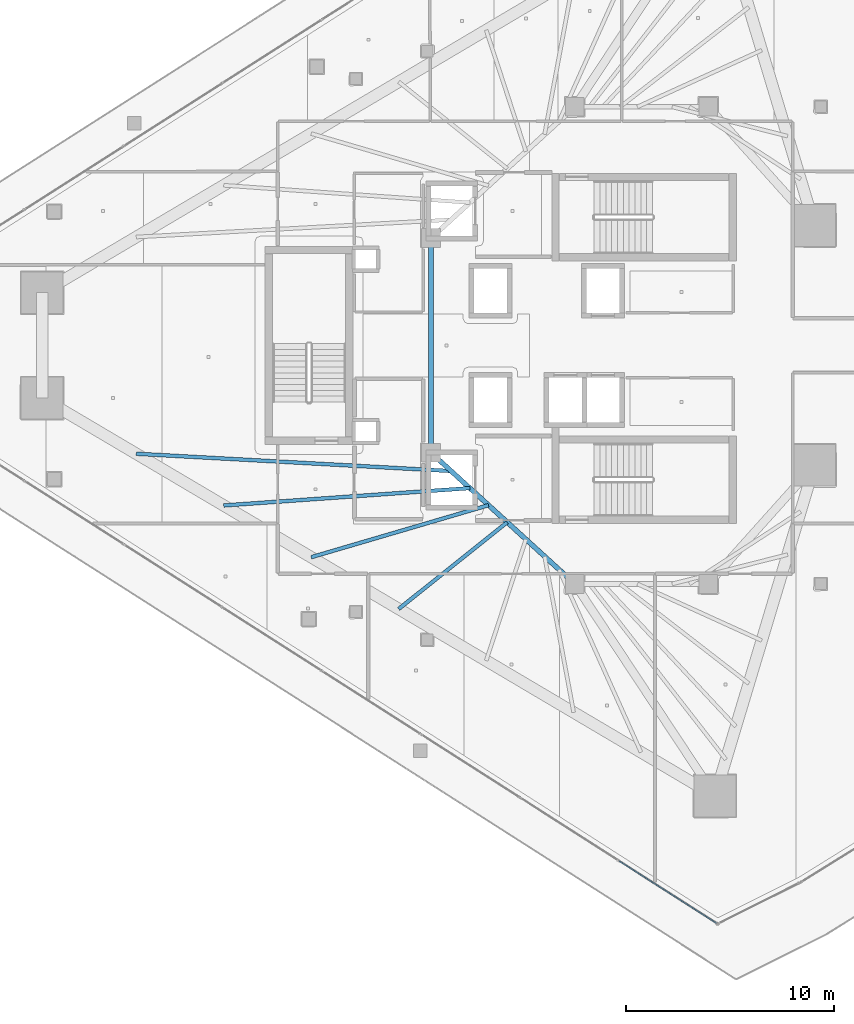
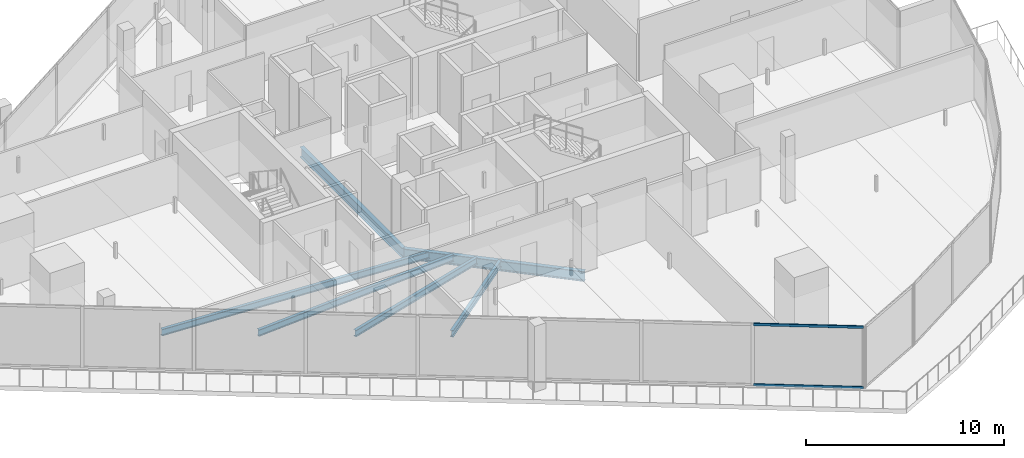
# One storey, part 8 of 36: 6 beams, 2 members, 1 element without a shape of its own.
"""IFC4 building model written with IfcOpenShell, lengths in metres."""

from ifc_helpers import new_model, si_unit, direction, frame, origin, origin_2d, place, context, subcontext, project, spatial, hollow_rectangle, i_section, extrude, material, layer, layer_set, material_profile, profile_set, type_object, element, aggregate, save


model = new_model("IFC4")

# Units and contexts
model_context = context("Model", 3, precision=1e-05, world=origin(), true_north=direction((0.0, 1.0)))
body_context = subcontext(model_context, "Body", "Model", "MODEL_VIEW")
ifc_project = project(units=[si_unit("LENGTHUNIT", "METRE"), si_unit("AREAUNIT", "SQUARE_METRE"), si_unit("VOLUMEUNIT", "CUBIC_METRE"), si_unit("PLANEANGLEUNIT", "RADIAN"), si_unit("MASSUNIT", "GRAM", prefix="KILO")], contexts=[model_context])

# Site, building, storey
site_placement = place(None, origin())
site = spatial("IfcSite", under=ifc_project, at=site_placement, CompositionType="ELEMENT")
building_placement = place(site_placement, origin())
building = spatial("IfcBuilding", under=site, at=building_placement, Name="Qorvath Tower", CompositionType="ELEMENT")
storey_placement = place(building_placement, frame((0.0, 0.0, 205.050048828125)))
storey = spatial("IfcBuildingStorey", under=building, at=storey_placement, Name="L47", CompositionType="ELEMENT", Elevation=205.050048828125)

# Beams
ifc_material_1 = material(Name="Steel ASTM A992 Grade 50", Category="steel")
ifc_material_profile_1 = material_profile(ifc_material_1, i_section(OverallWidth=0.22998046875, OverallDepth=0.616943359375, WebThickness=0.01318359375, FlangeThickness=0.022216796875, FilletRadius=0.014892578125, at=origin_2d()), Name="W24x94")
ifc_profile_set_1 = profile_set([ifc_material_profile_1], Name="Steel ASTM A992 Grade 50")
beam_type_1 = type_object("IfcBeamType", Name="BM-FG6", PredefinedType="BEAM", material=ifc_profile_set_1)
beam_1_placement = place(storey_placement, frame((-23.60009765625, -11.449951171875, -0.57861328125), z_axis=(-0.73847813985, 0.6742774184, 0.0), x_axis=(-0.6742774184, -0.73847813985, 0.0)))
element("IfcBeam", 1, at=beam_1_placement, inside=storey, type_object=beam_type_1, Name="Core Ring Girder CC4-CC6 L47", PredefinedType="BEAM", context=body_context, shape_type="SweptSolid", body=[
    extrude(i_section(OverallWidth=0.22998046875, OverallDepth=0.616943359375, WebThickness=0.01318359375, FlangeThickness=0.022216796875, FilletRadius=0.014892578125, at=origin_2d()), origin(), (0.0, 0.0, 1.0), 9.343505859375),
])
beam_2_placement = place(storey_placement, frame((-30.5, -5.14990234375, -0.57861328125), z_axis=(0.0, 1.0, 0.0), x_axis=(-1.0, 0.0, 0.0)))
element("IfcBeam", 2, at=beam_2_placement, inside=storey, type_object=beam_type_1, Name="Core Ring Girder CC6-CC5 L47", PredefinedType="BEAM", context=body_context, shape_type="SweptSolid", body=[
    extrude(i_section(OverallWidth=0.22998046875, OverallDepth=0.616943359375, WebThickness=0.01318359375, FlangeThickness=0.022216796875, FilletRadius=0.014892578125, at=origin_2d()), origin(), (0.0, 0.0, 1.0), 10.2998046875),
])
ifc_material_2 = material(Name="Steel ASTM A992 Grade 50", Category="steel")
ifc_material_profile_2 = material_profile(ifc_material_2, i_section(OverallWidth=0.177978515625, OverallDepth=0.406005859375, WebThickness=0.0078125, FlangeThickness=0.0126953125, FilletRadius=0.010986328125, at=origin_2d()), Name="W16x40")
ifc_profile_set_2 = profile_set([ifc_material_profile_2], Name="Steel ASTM A992 Grade 50")
beam_type_2 = type_object("IfcBeamType", Name="BM-FJ3", PredefinedType="JOIST", material=ifc_profile_set_2)
beam_3_placement = place(storey_placement, frame((-29.533935546875, -6.031982421875, -0.47314453125), z_axis=(-0.998494745044, 0.054847462293, 0.0), x_axis=(-0.054847462293, -0.998494745044, 0.0)))
element("IfcBeam", 3, at=beam_3_placement, inside=storey, type_object=beam_type_2, Name="Composite Floor Joist SW1 L47", PredefinedType="JOIST", context=body_context, shape_type="SweptSolid", body=[
    extrude(i_section(OverallWidth=0.177978515625, OverallDepth=0.406005859375, WebThickness=0.0078125, FlangeThickness=0.0126953125, FilletRadius=0.010986328125, at=origin_2d()), origin(), (0.0, 0.0, 1.0), 15.138671875),
])
beam_4_placement = place(storey_placement, frame((-28.636962890625, -6.85107421875, -0.47314453125), z_axis=(-0.997520476731, -0.070376832146, 0.0), x_axis=(0.070376832146, -0.997520476731, 0.0)))
element("IfcBeam", 4, at=beam_4_placement, inside=storey, type_object=beam_type_2, Name="Composite Floor Joist SW2 L47", PredefinedType="JOIST", context=body_context, shape_type="SweptSolid", body=[
    extrude(i_section(OverallWidth=0.177978515625, OverallDepth=0.406005859375, WebThickness=0.0078125, FlangeThickness=0.0126953125, FilletRadius=0.010986328125, at=origin_2d()), origin(), (0.0, 0.0, 1.0), 11.84326171875),
])
beam_5_placement = place(storey_placement, frame((-27.739990234375, -7.669921875, -0.47314453125), z_axis=(-0.959544992264, -0.281555337049, 0.0), x_axis=(0.281555337049, -0.959544992264, 0.0)))
element("IfcBeam", 5, at=beam_5_placement, inside=storey, type_object=beam_type_2, Name="Composite Floor Joist SW3 L47", PredefinedType="JOIST", context=body_context, shape_type="SweptSolid", body=[
    extrude(i_section(OverallWidth=0.177978515625, OverallDepth=0.406005859375, WebThickness=0.0078125, FlangeThickness=0.0126953125, FilletRadius=0.010986328125, at=origin_2d()), origin(), (0.0, 0.0, 1.0), 8.87060546875),
])
beam_6_placement = place(storey_placement, frame((-26.843017578125, -8.489013671875, -0.47314453125), z_axis=(-0.781336553339, -0.624109918537, 0.0), x_axis=(0.624109918537, -0.781336553339, 0.0)))
element("IfcBeam", 6, at=beam_6_placement, inside=storey, type_object=beam_type_2, Name="Composite Floor Joist SW4 L47", PredefinedType="JOIST", context=body_context, shape_type="SweptSolid", body=[
    extrude(i_section(OverallWidth=0.177978515625, OverallDepth=0.406005859375, WebThickness=0.0078125, FlangeThickness=0.0126953125, FilletRadius=0.010986328125, at=origin_2d()), origin(), (0.0, 0.0, 1.0), 6.667724609375),
])

# Curtain wall, members
ifc_material_3 = material(Name="Anodised aluminium and triple low-E glass", Category="aluminium")
ifc_layer = layer(ifc_material_3, 0.179931640625)
ifc_layer_set = layer_set([ifc_layer], Name="CW-SYS-3")
curtain_wall_type = type_object("IfcCurtainWallType", Name="CW-SYS-3", PredefinedType="NOTDEFINED", material=ifc_layer_set)
curtain_wall_placement = place(storey_placement, origin())
curtain_wall = element("IfcCurtainWall", 7, at=curtain_wall_placement, inside=storey, type_object=curtain_wall_type, Name="Curtain Wall CW-3 CW-T-L47-2.1", PredefinedType="NOTDEFINED")
ifc_material_4 = material(Name="Anodised aluminium 6063-T6", Category="aluminium")
ifc_material_profile_3 = material_profile(ifc_material_4, hollow_rectangle(XDim=0.06494140625, YDim=0.159912109375, WallThickness=0.00341796875, InnerFilletRadius=0.00341796875, OuterFilletRadius=0.007080078125, at=origin_2d()), Name="CWT 160x65")
ifc_profile_set_3 = profile_set([ifc_material_profile_3], Name="Anodised aluminium 6063-T6")
member_type = type_object("IfcMemberType", Name="CWT-160", PredefinedType="USERDEFINED", material=ifc_profile_set_3)
member_1_placement = place(storey_placement, frame((-21.468017578125, -24.7509765625, 0.032470703125), z_axis=(0.842595217297, -0.538547397903, 0.0), x_axis=(0.538547397903, 0.842595217297, 0.0)))
member_1 = element("IfcMember", 8, at=member_1_placement, type_object=member_type, Name="CW-3 transom 8.1", ObjectType="TRANSOM", PredefinedType="USERDEFINED", context=body_context, shape_type="SweptSolid", body=[
    extrude(hollow_rectangle(XDim=0.06494140625, YDim=0.159912109375, WallThickness=0.00341796875, InnerFilletRadius=0.00341796875, OuterFilletRadius=0.007080078125, at=origin_2d()), origin(), (0.0, 0.0, 1.0), 5.54296875),
])
member_2_placement = place(storey_placement, frame((-21.468017578125, -24.7509765625, 3.74755859375), z_axis=(0.842595217297, -0.538547397903, 0.0), x_axis=(0.538547397903, 0.842595217297, 0.0)))
member_2 = element("IfcMember", 9, at=member_2_placement, type_object=member_type, Name="CW-3 transom 8.2", ObjectType="TRANSOM", PredefinedType="USERDEFINED", context=body_context, shape_type="SweptSolid", body=[
    extrude(hollow_rectangle(XDim=0.06494140625, YDim=0.159912109375, WallThickness=0.00341796875, InnerFilletRadius=0.00341796875, OuterFilletRadius=0.007080078125, at=origin_2d()), origin(), (0.0, 0.0, 1.0), 5.54296875),
])
aggregate(curtain_wall, [member_1, member_2])

save(model, "model.ifc")
